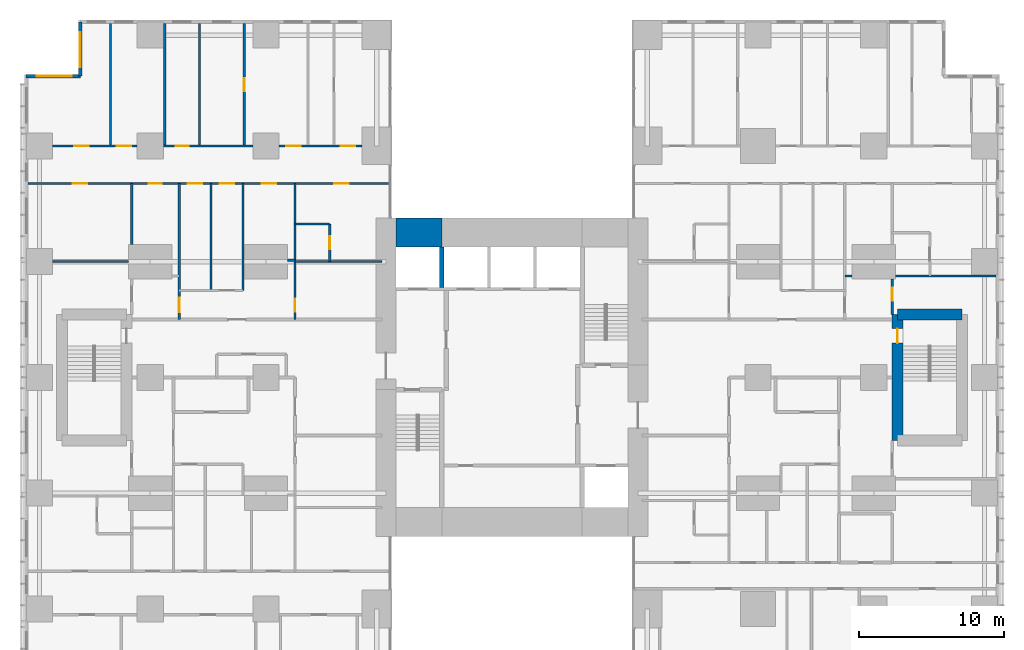
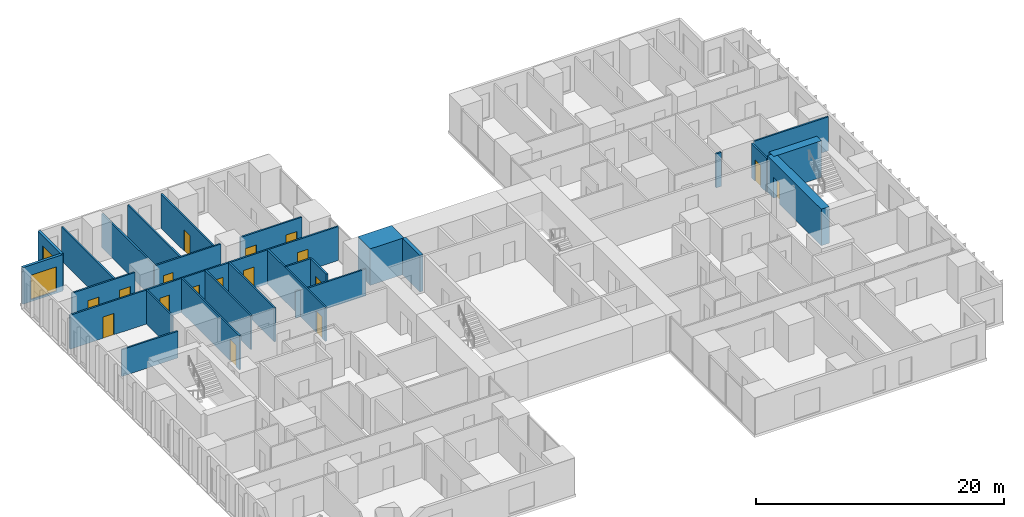
# One storey, part 16 of 20: 27 walls, 17 doors, 2 windows, 19 openings.
"""IFC4 building model written with IfcOpenShell, lengths in metres."""

from ifc_helpers import new_model, si_unit, direction, frame, frame_2d, origin, place, context, subcontext, project, spatial, rectangle, extrude, material, layer, layer_set, type_object, element, fill, save


model = new_model("IFC4")

# Units and contexts
model_context = context("Model", 3, precision=1e-05, world=origin(), true_north=direction((0.0, 1.0)))
body_context = subcontext(model_context, "Body", "Model", "MODEL_VIEW")
ifc_project = project(units=[si_unit("LENGTHUNIT", "METRE"), si_unit("AREAUNIT", "SQUARE_METRE"), si_unit("VOLUMEUNIT", "CUBIC_METRE"), si_unit("PLANEANGLEUNIT", "RADIAN"), si_unit("MASSUNIT", "GRAM", prefix="KILO")], contexts=[model_context])

# Site, building, storey
site_placement = place(None, origin())
site = spatial("IfcSite", under=ifc_project, at=site_placement, CompositionType="ELEMENT")
building_placement = place(site_placement, origin())
building = spatial("IfcBuilding", under=site, at=building_placement, Name="Cleftline Residences", CompositionType="ELEMENT")
storey_placement = place(building_placement, frame((0.0, 0.0, 189.39990234375)))
storey = spatial("IfcBuildingStorey", under=building, at=storey_placement, Name="L49", CompositionType="ELEMENT", Elevation=189.39990234375)

# Walls
ifc_material_1 = material(Name="Concrete B70", Category="concrete")
ifc_layer_1 = layer(ifc_material_1, 2.0)
ifc_layer_set_1 = layer_set([ifc_layer_1], Name="CORE WALL 2000")
wall_type_1 = type_object("IfcWallType", Name="CORE WALL 2000", PredefinedType="SHEAR", material=ifc_layer_set_1)
wall_1_placement = place(storey_placement, frame((25.0, 34.0, 0.0), z_axis=(0.0, 0.0, 1.0), x_axis=(1.0, 0.0, 0.0)))
element("IfcWall", 1, at=wall_1_placement, inside=storey, type_object=wall_type_1, Name="Core wall N1", PredefinedType="SHEAR", context=body_context, shape_type="SweptSolid", body=[
    extrude(rectangle(XDim=3.14990234375, YDim=2.0, at=frame_2d((1.574951171875, 0.0))), origin(), (0.0, 0.0, 1.0), 3.60009765625),
])
ifc_material_2 = material(Name="Concrete B70", Category="concrete")
ifc_layer_2 = layer(ifc_material_2, 0.300048828125)
ifc_layer_set_2 = layer_set([ifc_layer_2], Name="CORE WALL 300")
wall_type_2 = type_object("IfcWallType", Name="CORE WALL 300", PredefinedType="SHEAR", material=ifc_layer_set_2)
wall_2_placement = place(storey_placement, frame((28.14990234375, 30.199951171875, 0.0), z_axis=(0.0, 0.0, 1.0), x_axis=(0.0, 1.0, 0.0)))
element("IfcWall", 2, at=wall_2_placement, inside=storey, type_object=wall_type_2, Name="Lift shaft wall", PredefinedType="SHEAR", context=body_context, shape_type="SweptSolid", body=[
    extrude(rectangle(XDim=2.800048828125, YDim=0.300048828125, at=frame_2d((1.39990234375, 0.0))), origin(), (0.0, 0.0, 1.0), 3.60009765625),
])

# Wall, opening, window
ifc_material_3 = material(Name="Rendered reinforced concrete blockwork", Category="masonry")
ifc_layer_3 = layer(ifc_material_3, 0.25)
ifc_layer_set_3 = layer_set([ifc_layer_3], Name="EXTERNAL WALL 250")
wall_type_3 = type_object("IfcWallType", Name="EXTERNAL WALL 250", PredefinedType="SOLIDWALL", material=ifc_layer_set_3)
wall_3_placement = place(storey_placement, frame((3.175048828125, 48.574951171875, 0.0), z_axis=(0.0, 0.0, 1.0), x_axis=(0.0, -1.0, 0.0)))
wall_3 = element("IfcWall", 3, at=wall_3_placement, inside=storey, type_object=wall_type_3, Name="External wall", PredefinedType="SOLIDWALL", context=body_context, shape_type="SweptSolid", body=[
    extrude(rectangle(XDim=3.75, YDim=0.25, at=frame_2d((1.875, 0.0))), origin(), (0.0, 0.0, 1.0), 3.60009765625),
])
opening_1_placement = place(wall_3_placement, frame((0.737548828125, 0.0, 0.199951171875)))
opening_1 = element("IfcOpeningElement", 4, at=opening_1_placement, cuts=wall_3, Name="Opening W9", PredefinedType="OPENING", context=body_context, shape_type="SweptSolid", body=[
    extrude(rectangle(XDim=2.39990234375, YDim=2.39990234375, at=frame_2d((1.199951171875, 1.199951171875))), frame((0.0, 0.135009765625, 0.0), z_axis=(0.0, -1.0, 0.0), x_axis=(1.0, 0.0, 0.0)), (0.0, 0.0, 1.0), 0.27001953125),
])
ifc_material_4 = material(Name="Aluminium frame, clear double glazing", Category="aluminium")
window_type = type_object("IfcWindowType", Name="WINDOW 2400X2400", PartitioningType="DOUBLE_PANEL_VERTICAL", PredefinedType="WINDOW", material=ifc_material_4)
window_1_placement = place(opening_1_placement, origin())
window_1 = element("IfcWindow", 5, at=window_1_placement, inside=storey, type_object=window_type, Name="Window", OverallHeight=2.39990234375, OverallWidth=2.39990234375, PartitioningType="SINGLE_PANEL", PredefinedType="WINDOW", context=body_context, shape_type="SweptSolid", body=[
    extrude(rectangle(XDim=2.39990234375, YDim=2.39990234375, at=frame_2d((1.199951171875, 1.199951171875))), frame((0.0, 0.030029296875, 0.0), z_axis=(0.0, -1.0, 0.0), x_axis=(1.0, 0.0, 0.0)), (0.0, 0.0, 1.0), 0.06005859375),
])
fill(opening_1, window_1)

wall_4_placement = place(storey_placement, frame((3.175048828125, 44.824951171875, 0.0), z_axis=(0.0, 0.0, 1.0), x_axis=(-1.0, 0.0, 0.0)))
wall_4 = element("IfcWall", 6, at=wall_4_placement, inside=storey, type_object=wall_type_3, Name="External wall", PredefinedType="SOLIDWALL", context=body_context, shape_type="SweptSolid", body=[
    extrude(rectangle(XDim=3.75, YDim=0.25, at=frame_2d((1.875, 0.0))), origin(), (0.0, 0.0, 1.0), 3.60009765625),
])
opening_2_placement = place(wall_4_placement, frame((0.612548828125, 0.0, 0.199951171875)))
opening_2 = element("IfcOpeningElement", 7, at=opening_2_placement, cuts=wall_4, Name="Opening W9", PredefinedType="OPENING", context=body_context, shape_type="SweptSolid", body=[
    extrude(rectangle(XDim=2.39990234375, YDim=2.39990234375, at=frame_2d((1.199951171875, 1.199951171875))), frame((0.0, 0.135009765625, 0.0), z_axis=(0.0, -1.0, 0.0), x_axis=(1.0, 0.0, 0.0)), (0.0, 0.0, 1.0), 0.27001953125),
])
window_2_placement = place(opening_2_placement, origin())
window_2 = element("IfcWindow", 8, at=window_2_placement, inside=storey, type_object=window_type, Name="Window", OverallHeight=2.39990234375, OverallWidth=2.39990234375, PartitioningType="SINGLE_PANEL", PredefinedType="WINDOW", context=body_context, shape_type="SweptSolid", body=[
    extrude(rectangle(XDim=2.39990234375, YDim=2.39990234375, at=frame_2d((1.199951171875, 1.199951171875))), frame((0.0, 0.030029296875, 0.0), z_axis=(0.0, -1.0, 0.0), x_axis=(1.0, 0.0, 0.0)), (0.0, 0.0, 1.0), 0.06005859375),
])
fill(opening_2, window_2)

# Walls
ifc_material_5 = material(Name="Gypsum board on steel studs", Category="steel")
ifc_layer_4 = layer(ifc_material_5, 0.14990234375)
ifc_layer_set_4 = layer_set([ifc_layer_4], Name="PARTITION 150")
wall_type_4 = type_object("IfcWallType", Name="PARTITION 150", PredefinedType="PARTITIONING", material=ifc_layer_set_4)
wall_5_placement = place(storey_placement, frame((56.0, 31.0, 0.0), z_axis=(0.0, 0.0, 1.0), x_axis=(1.0, 0.0, 0.0)))
element("IfcWall", 9, at=wall_5_placement, inside=storey, type_object=wall_type_4, Name="Partition", PredefinedType="PARTITIONING", context=body_context, shape_type="SweptSolid", body=[
    extrude(rectangle(XDim=0.5, YDim=0.14990234375, at=frame_2d((0.25, 0.0))), origin(), (0.0, 0.0, 1.0), 3.35009765625),
])
wall_6_placement = place(storey_placement, frame((59.5, 31.0, 0.0), z_axis=(0.0, 0.0, 1.0), x_axis=(1.0, 0.0, 0.0)))
element("IfcWall", 10, at=wall_6_placement, inside=storey, type_object=wall_type_4, Name="Partition", PredefinedType="PARTITIONING", context=body_context, shape_type="SweptSolid", body=[
    extrude(rectangle(XDim=6.949951171875, YDim=0.14990234375, at=frame_2d((3.47509765625, 0.0))), origin(), (0.0, 0.0, 1.0), 3.35009765625),
])
wall_7_placement = place(storey_placement, frame((1.25, 32.0, 0.0), z_axis=(0.0, 0.0, 1.0), x_axis=(1.0, 0.0, 0.0)))
element("IfcWall", 11, at=wall_7_placement, inside=storey, type_object=wall_type_4, Name="Partition", PredefinedType="PARTITIONING", context=body_context, shape_type="SweptSolid", body=[
    extrude(rectangle(XDim=5.25, YDim=0.14990234375, at=frame_2d((2.625, 0.0))), origin(), (0.0, 0.0, 1.0), 2.634033203125),
])
wall_8_placement = place(storey_placement, frame((18.0, 32.0, 0.0), z_axis=(0.0, 0.0, 1.0), x_axis=(1.0, 0.0, 0.0)))
element("IfcWall", 12, at=wall_8_placement, inside=storey, type_object=wall_type_4, Name="Partition", PredefinedType="PARTITIONING", context=body_context, shape_type="SweptSolid", body=[
    extrude(rectangle(XDim=6.0, YDim=0.14990234375, at=frame_2d((3.0, 0.0))), origin(), (0.0, 0.0, 1.0), 2.634033203125),
])
wall_9_placement = place(storey_placement, frame((17.5, 32.10009765625, 0.0), z_axis=(0.0, 0.0, 1.0), x_axis=(1.0, 0.0, 0.0)))
element("IfcWall", 13, at=wall_9_placement, inside=storey, type_object=wall_type_4, Name="Partition", PredefinedType="PARTITIONING", context=body_context, shape_type="SweptSolid", body=[
    extrude(rectangle(XDim=0.5, YDim=0.14990234375, at=frame_2d((0.25, 0.0))), origin(), (0.0, 0.0, 1.0), 2.634033203125),
])
wall_10_placement = place(storey_placement, frame((18.0, 34.60009765625, 0.0), z_axis=(0.0, 0.0, 1.0), x_axis=(1.0, 0.0, 0.0)))
element("IfcWall", 14, at=wall_10_placement, inside=storey, type_object=wall_type_4, Name="Partition", PredefinedType="PARTITIONING", context=body_context, shape_type="SweptSolid", body=[
    extrude(rectangle(XDim=2.39990234375, YDim=0.14990234375, at=frame_2d((1.199951171875, 0.0))), origin(), (0.0, 0.0, 1.0), 3.35009765625),
])

# Wall, openings, doors
wall_11_placement = place(storey_placement, frame((-0.449951171875, 37.39990234375, 0.0), z_axis=(0.0, 0.0, 1.0), x_axis=(1.0, 0.0, 0.0)))
wall_11 = element("IfcWall", 15, at=wall_11_placement, inside=storey, type_object=wall_type_4, Name="Partition", PredefinedType="PARTITIONING", context=body_context, shape_type="SweptSolid", body=[
    extrude(rectangle(XDim=25.010986328125, YDim=0.14990234375, at=frame_2d((12.50537109375, 0.0))), origin(), (0.0, 0.0, 1.0), 3.35009765625),
])
opening_3_placement = place(wall_11_placement, frame((13.25, 0.0, 0.0)))
opening_3 = element("IfcOpeningElement", 16, at=opening_3_placement, cuts=wall_11, Name="Opening D2", PredefinedType="OPENING", context=body_context, shape_type="SweptSolid", body=[
    extrude(rectangle(XDim=1.0, YDim=2.10009765625, at=frame_2d((0.5, 1.050048828125))), frame((0.0, 0.0849609375, 0.0), z_axis=(0.0, -1.0, 0.0), x_axis=(1.0, 0.0, 0.0)), (0.0, 0.0, 1.0), 0.169921875),
])
opening_4_placement = place(wall_11_placement, frame((3.08740234375, 0.0, 0.0)))
opening_4 = element("IfcOpeningElement", 17, at=opening_4_placement, cuts=wall_11, Name="Opening D2", PredefinedType="OPENING", context=body_context, shape_type="SweptSolid", body=[
    extrude(rectangle(XDim=1.0, YDim=2.10009765625, at=frame_2d((0.5, 1.050048828125))), frame((0.0, 0.0849609375, 0.0), z_axis=(0.0, -1.0, 0.0), x_axis=(1.0, 0.0, 0.0)), (0.0, 0.0, 1.0), 0.169921875),
])
opening_5_placement = place(wall_11_placement, frame((8.362548828125, 0.0, 0.0)))
opening_5 = element("IfcOpeningElement", 18, at=opening_5_placement, cuts=wall_11, Name="Opening D1", PredefinedType="OPENING", context=body_context, shape_type="SweptSolid", body=[
    extrude(rectangle(XDim=0.89990234375, YDim=2.10009765625, at=frame_2d((0.449951171875, 1.050048828125))), frame((0.0, 0.0849609375, 0.0), z_axis=(0.0, -1.0, 0.0), x_axis=(1.0, 0.0, 0.0)), (0.0, 0.0, 1.0), 0.169921875),
])
opening_6_placement = place(wall_11_placement, frame((11.050048828125, 0.0, 0.0)))
opening_6 = element("IfcOpeningElement", 19, at=opening_6_placement, cuts=wall_11, Name="Opening D2", PredefinedType="OPENING", context=body_context, shape_type="SweptSolid", body=[
    extrude(rectangle(XDim=1.0, YDim=2.10009765625, at=frame_2d((0.5, 1.050048828125))), frame((0.0, 0.0849609375, 0.0), z_axis=(0.0, -1.0, 0.0), x_axis=(1.0, 0.0, 0.0)), (0.0, 0.0, 1.0), 0.169921875),
])
opening_7_placement = place(wall_11_placement, frame((16.14990234375, 0.0, 0.0)))
opening_7 = element("IfcOpeningElement", 20, at=opening_7_placement, cuts=wall_11, Name="Opening D2", PredefinedType="OPENING", context=body_context, shape_type="SweptSolid", body=[
    extrude(rectangle(XDim=1.0, YDim=2.10009765625, at=frame_2d((0.5, 1.050048828125))), frame((0.0, 0.0849609375, 0.0), z_axis=(0.0, -1.0, 0.0), x_axis=(1.0, 0.0, 0.0)), (0.0, 0.0, 1.0), 0.169921875),
])
opening_8_placement = place(wall_11_placement, frame((21.175048828125, 0.0, 0.0)))
opening_8 = element("IfcOpeningElement", 21, at=opening_8_placement, cuts=wall_11, Name="Opening D2", PredefinedType="OPENING", context=body_context, shape_type="SweptSolid", body=[
    extrude(rectangle(XDim=1.0, YDim=2.10009765625, at=frame_2d((0.5, 1.050048828125))), frame((0.0, 0.0849609375, 0.0), z_axis=(0.0, -1.0, 0.0), x_axis=(1.0, 0.0, 0.0)), (0.0, 0.0, 1.0), 0.169921875),
])
ifc_material_6 = material(Name="Timber veneer on solid core", Category="wood")
door_type_1 = type_object("IfcDoorType", Name="DOOR 1000X2100", OperationType="SINGLE_SWING_LEFT", PredefinedType="DOOR", material=ifc_material_6)
door_1_placement = place(opening_3_placement, origin())
door_1 = element("IfcDoor", 22, at=door_1_placement, inside=storey, type_object=door_type_1, Name="Door to residence hall", OperationType="SINGLE_SWING_LEFT", OverallHeight=2.10009765625, OverallWidth=1.0, PredefinedType="DOOR", context=body_context, shape_type="SweptSolid", body=[
    extrude(rectangle(XDim=1.0, YDim=2.10009765625, at=frame_2d((0.5, 1.050048828125))), frame((0.0, 0.02490234375, 0.0), z_axis=(0.0, -1.0, 0.0), x_axis=(1.0, 0.0, 0.0)), (0.0, 0.0, 1.0), 0.050048828125),
])
fill(opening_3, door_1)
door_2_placement = place(opening_4_placement, origin())
door_2 = element("IfcDoor", 23, at=door_2_placement, inside=storey, type_object=door_type_1, Name="Door to winter garden", OperationType="SINGLE_SWING_RIGHT", OverallHeight=2.10009765625, OverallWidth=1.0, PredefinedType="DOOR", context=body_context, shape_type="SweptSolid", body=[
    extrude(rectangle(XDim=1.0, YDim=2.10009765625, at=frame_2d((0.5, 1.050048828125))), frame((0.0, 0.02490234375, 0.0), z_axis=(0.0, -1.0, 0.0), x_axis=(1.0, 0.0, 0.0)), (0.0, 0.0, 1.0), 0.050048828125),
])
fill(opening_4, door_2)
door_3_placement = place(opening_6_placement, origin())
door_3 = element("IfcDoor", 24, at=door_3_placement, inside=storey, type_object=door_type_1, Name="Door to family room", OperationType="SINGLE_SWING_RIGHT", OverallHeight=2.10009765625, OverallWidth=1.0, PredefinedType="DOOR", context=body_context, shape_type="SweptSolid", body=[
    extrude(rectangle(XDim=1.0, YDim=2.10009765625, at=frame_2d((0.5, 1.050048828125))), frame((0.0, 0.02490234375, 0.0), z_axis=(0.0, -1.0, 0.0), x_axis=(1.0, 0.0, 0.0)), (0.0, 0.0, 1.0), 0.050048828125),
])
fill(opening_6, door_3)
door_4_placement = place(opening_7_placement, origin())
door_4 = element("IfcDoor", 25, at=door_4_placement, inside=storey, type_object=door_type_1, Name="Door to morning kitchen", OperationType="SINGLE_SWING_LEFT", OverallHeight=2.10009765625, OverallWidth=1.0, PredefinedType="DOOR", context=body_context, shape_type="SweptSolid", body=[
    extrude(rectangle(XDim=1.0, YDim=2.10009765625, at=frame_2d((0.5, 1.050048828125))), frame((0.0, 0.02490234375, 0.0), z_axis=(0.0, -1.0, 0.0), x_axis=(1.0, 0.0, 0.0)), (0.0, 0.0, 1.0), 0.050048828125),
])
fill(opening_7, door_4)
door_5_placement = place(opening_8_placement, origin())
door_5 = element("IfcDoor", 26, at=door_5_placement, inside=storey, type_object=door_type_1, Name="Door to bedroom 4", OperationType="SINGLE_SWING_LEFT", OverallHeight=2.10009765625, OverallWidth=1.0, PredefinedType="DOOR", context=body_context, shape_type="SweptSolid", body=[
    extrude(rectangle(XDim=1.0, YDim=2.10009765625, at=frame_2d((0.5, 1.050048828125))), frame((0.0, 0.02490234375, 0.0), z_axis=(0.0, -1.0, 0.0), x_axis=(1.0, 0.0, 0.0)), (0.0, 0.0, 1.0), 0.050048828125),
])
fill(opening_8, door_5)
ifc_material_7 = material(Name="Timber veneer on solid core", Category="wood")
door_type_2 = type_object("IfcDoorType", Name="DOOR 900X2100", OperationType="SINGLE_SWING_LEFT", PredefinedType="DOOR", material=ifc_material_7)
door_6_placement = place(opening_5_placement, origin())
door_6 = element("IfcDoor", 27, at=door_6_placement, inside=storey, type_object=door_type_2, Name="Door to master bathroom", OperationType="SINGLE_SWING_RIGHT", OverallHeight=2.10009765625, OverallWidth=0.89990234375, PredefinedType="DOOR", context=body_context, shape_type="SweptSolid", body=[
    extrude(rectangle(XDim=0.89990234375, YDim=2.10009765625, at=frame_2d((0.449951171875, 1.050048828125))), frame((0.0, 0.02490234375, 0.0), z_axis=(0.0, -1.0, 0.0), x_axis=(1.0, 0.0, 0.0)), (0.0, 0.0, 1.0), 0.050048828125),
])
fill(opening_5, door_6)

wall_12_placement = place(storey_placement, frame((1.25, 40.0, 0.0), z_axis=(0.0, 0.0, 1.0), x_axis=(1.0, 0.0, 0.0)))
wall_12 = element("IfcWall", 28, at=wall_12_placement, inside=storey, type_object=wall_type_4, Name="Partition", PredefinedType="PARTITIONING", context=body_context, shape_type="SweptSolid", body=[
    extrude(rectangle(XDim=5.85009765625, YDim=0.14990234375, at=frame_2d((2.925048828125, 0.0))), origin(), (0.0, 0.0, 1.0), 3.35009765625),
])
opening_9_placement = place(wall_12_placement, frame((1.5, 0.0, 0.0)))
opening_9 = element("IfcOpeningElement", 29, at=opening_9_placement, cuts=wall_12, Name="Opening D2", PredefinedType="OPENING", context=body_context, shape_type="SweptSolid", body=[
    extrude(rectangle(XDim=1.0, YDim=2.10009765625, at=frame_2d((0.5, 1.050048828125))), frame((0.0, 0.0849609375, 0.0), z_axis=(0.0, -1.0, 0.0), x_axis=(1.0, 0.0, 0.0)), (0.0, 0.0, 1.0), 0.169921875),
])
opening_10_placement = place(wall_12_placement, frame((4.425048828125, 0.0, 0.0)))
opening_10 = element("IfcOpeningElement", 30, at=opening_10_placement, cuts=wall_12, Name="Opening D2", PredefinedType="OPENING", context=body_context, shape_type="SweptSolid", body=[
    extrude(rectangle(XDim=1.0, YDim=2.10009765625, at=frame_2d((0.5, 1.050048828125))), frame((0.0, 0.0849609375, 0.0), z_axis=(0.0, -1.0, 0.0), x_axis=(1.0, 0.0, 0.0)), (0.0, 0.0, 1.0), 0.169921875),
])
door_7_placement = place(opening_9_placement, origin())
door_7 = element("IfcDoor", 31, at=door_7_placement, inside=storey, type_object=door_type_1, Name="Door to master bedroom", OperationType="SINGLE_SWING_RIGHT", OverallHeight=2.10009765625, OverallWidth=1.0, PredefinedType="DOOR", context=body_context, shape_type="SweptSolid", body=[
    extrude(rectangle(XDim=1.0, YDim=2.10009765625, at=frame_2d((0.5, 1.050048828125))), frame((0.0, 0.02490234375, 0.0), z_axis=(0.0, -1.0, 0.0), x_axis=(1.0, 0.0, 0.0)), (0.0, 0.0, 1.0), 0.050048828125),
])
fill(opening_9, door_7)
door_8_placement = place(opening_10_placement, origin())
door_8 = element("IfcDoor", 32, at=door_8_placement, inside=storey, type_object=door_type_1, Name="Door to master sitting room", OperationType="SINGLE_SWING_LEFT", OverallHeight=2.10009765625, OverallWidth=1.0, PredefinedType="DOOR", context=body_context, shape_type="SweptSolid", body=[
    extrude(rectangle(XDim=1.0, YDim=2.10009765625, at=frame_2d((0.5, 1.050048828125))), frame((0.0, 0.02490234375, 0.0), z_axis=(0.0, -1.0, 0.0), x_axis=(1.0, 0.0, 0.0)), (0.0, 0.0, 1.0), 0.050048828125),
])
fill(opening_10, door_8)

# Wall, opening, door
wall_13_placement = place(storey_placement, frame((8.89990234375, 40.0, 0.0), z_axis=(0.0, 0.0, 1.0), x_axis=(1.0, 0.0, 0.0)))
wall_13 = element("IfcWall", 33, at=wall_13_placement, inside=storey, type_object=wall_type_4, Name="Partition", PredefinedType="PARTITIONING", context=body_context, shape_type="SweptSolid", body=[
    extrude(rectangle(XDim=6.2001953125, YDim=0.14990234375, at=frame_2d((3.10009765625, 0.0))), origin(), (0.0, 0.0, 1.0), 3.35009765625),
])
opening_11_placement = place(wall_13_placement, frame((0.85009765625, 0.0, 0.0)))
opening_11 = element("IfcOpeningElement", 34, at=opening_11_placement, cuts=wall_13, Name="Opening D1", PredefinedType="OPENING", context=body_context, shape_type="SweptSolid", body=[
    extrude(rectangle(XDim=0.89990234375, YDim=2.10009765625, at=frame_2d((0.449951171875, 1.050048828125))), frame((0.0, 0.0849609375, 0.0), z_axis=(0.0, -1.0, 0.0), x_axis=(1.0, 0.0, 0.0)), (0.0, 0.0, 1.0), 0.169921875),
])
door_9_placement = place(opening_11_placement, origin())
door_9 = element("IfcDoor", 35, at=door_9_placement, inside=storey, type_object=door_type_2, Name="Door to master dressing room", OperationType="SINGLE_SWING_RIGHT", OverallHeight=2.10009765625, OverallWidth=0.89990234375, PredefinedType="DOOR", context=body_context, shape_type="SweptSolid", body=[
    extrude(rectangle(XDim=0.89990234375, YDim=2.10009765625, at=frame_2d((0.449951171875, 1.050048828125))), frame((0.0, 0.02490234375, 0.0), z_axis=(0.0, -1.0, 0.0), x_axis=(1.0, 0.0, 0.0)), (0.0, 0.0, 1.0), 0.050048828125),
])
fill(opening_11, door_9)

# Wall, openings, doors
wall_14_placement = place(storey_placement, frame((16.89990234375, 40.0, 0.0), z_axis=(0.0, 0.0, 1.0), x_axis=(1.0, 0.0, 0.0)))
wall_14 = element("IfcWall", 36, at=wall_14_placement, inside=storey, type_object=wall_type_4, Name="Partition", PredefinedType="PARTITIONING", context=body_context, shape_type="SweptSolid", body=[
    extrude(rectangle(XDim=5.75, YDim=0.14990234375, at=frame_2d((2.875, 0.0))), origin(), (0.0, 0.0, 1.0), 3.35009765625),
])
opening_12_placement = place(wall_14_placement, frame((0.5, 0.0, 0.0)))
opening_12 = element("IfcOpeningElement", 37, at=opening_12_placement, cuts=wall_14, Name="Opening D2", PredefinedType="OPENING", context=body_context, shape_type="SweptSolid", body=[
    extrude(rectangle(XDim=1.0, YDim=2.10009765625, at=frame_2d((0.5, 1.050048828125))), frame((0.0, 0.0849609375, 0.0), z_axis=(0.0, -1.0, 0.0), x_axis=(1.0, 0.0, 0.0)), (0.0, 0.0, 1.0), 0.169921875),
])
opening_13_placement = place(wall_14_placement, frame((4.27490234375, 0.0, 0.0)))
opening_13 = element("IfcOpeningElement", 38, at=opening_13_placement, cuts=wall_14, Name="Opening D2", PredefinedType="OPENING", context=body_context, shape_type="SweptSolid", body=[
    extrude(rectangle(XDim=1.0, YDim=2.10009765625, at=frame_2d((0.5, 1.050048828125))), frame((0.0, 0.0849609375, 0.0), z_axis=(0.0, -1.0, 0.0), x_axis=(1.0, 0.0, 0.0)), (0.0, 0.0, 1.0), 0.169921875),
])
door_10_placement = place(opening_12_placement, origin())
door_10 = element("IfcDoor", 39, at=door_10_placement, inside=storey, type_object=door_type_1, Name="Door to bedroom 2", OperationType="SINGLE_SWING_RIGHT", OverallHeight=2.10009765625, OverallWidth=1.0, PredefinedType="DOOR", context=body_context, shape_type="SweptSolid", body=[
    extrude(rectangle(XDim=1.0, YDim=2.10009765625, at=frame_2d((0.5, 1.050048828125))), frame((0.0, 0.02490234375, 0.0), z_axis=(0.0, -1.0, 0.0), x_axis=(1.0, 0.0, 0.0)), (0.0, 0.0, 1.0), 0.050048828125),
])
fill(opening_12, door_10)
door_11_placement = place(opening_13_placement, origin())
door_11 = element("IfcDoor", 40, at=door_11_placement, inside=storey, type_object=door_type_1, Name="Door to bedroom 3", OperationType="SINGLE_SWING_LEFT", OverallHeight=2.10009765625, OverallWidth=1.0, PredefinedType="DOOR", context=body_context, shape_type="SweptSolid", body=[
    extrude(rectangle(XDim=1.0, YDim=2.10009765625, at=frame_2d((0.5, 1.050048828125))), frame((0.0, 0.02490234375, 0.0), z_axis=(0.0, -1.0, 0.0), x_axis=(1.0, 0.0, 0.0)), (0.0, 0.0, 1.0), 0.050048828125),
])
fill(opening_13, door_11)

# Walls
wall_15_placement = place(storey_placement, frame((5.25, 40.0, 0.0), z_axis=(0.0, 0.0, 1.0), x_axis=(0.0, 1.0, 0.0)))
element("IfcWall", 41, at=wall_15_placement, inside=storey, type_object=wall_type_4, Name="Partition", PredefinedType="PARTITIONING", context=body_context, shape_type="SweptSolid", body=[
    extrude(rectangle(XDim=8.449951171875, YDim=0.14990234375, at=frame_2d((4.22509765625, 0.0))), origin(), (0.0, 0.0, 1.0), 3.35009765625),
])
wall_16_placement = place(storey_placement, frame((6.72509765625, 33.199951171875, 0.0), z_axis=(0.0, 0.0, 1.0), x_axis=(0.0, 1.0, 0.0)))
element("IfcWall", 42, at=wall_16_placement, inside=storey, type_object=wall_type_4, Name="Partition", PredefinedType="PARTITIONING", context=body_context, shape_type="SweptSolid", body=[
    extrude(rectangle(XDim=4.199951171875, YDim=0.14990234375, at=frame_2d((2.10009765625, 0.0))), origin(), (0.0, 0.0, 1.0), 3.35009765625),
])
wall_17_placement = place(storey_placement, frame((9.0, 40.0, 0.0), z_axis=(0.0, 0.0, 1.0), x_axis=(0.0, 1.0, 0.0)))
element("IfcWall", 43, at=wall_17_placement, inside=storey, type_object=wall_type_4, Name="Partition", PredefinedType="PARTITIONING", context=body_context, shape_type="SweptSolid", body=[
    extrude(rectangle(XDim=8.449951171875, YDim=0.14990234375, at=frame_2d((4.22509765625, 0.0))), origin(), (0.0, 0.0, 1.0), 3.35009765625),
])

# Wall, opening, door
wall_18_placement = place(storey_placement, frame((10.0, 28.0, 0.0), z_axis=(0.0, 0.0, 1.0), x_axis=(0.0, 1.0, 0.0)))
wall_18 = element("IfcWall", 44, at=wall_18_placement, inside=storey, type_object=wall_type_4, Name="Partition", PredefinedType="PARTITIONING", context=body_context, shape_type="SweptSolid", body=[
    extrude(rectangle(XDim=9.39990234375, YDim=0.14990234375, at=frame_2d((4.699951171875, 0.0))), origin(), (0.0, 0.0, 1.0), 3.35009765625),
])
opening_14_placement = place(wall_18_placement, frame((0.5, 0.0, 0.0)))
opening_14 = element("IfcOpeningElement", 45, at=opening_14_placement, cuts=wall_18, Name="Opening D2F30", PredefinedType="OPENING", context=body_context, shape_type="SweptSolid", body=[
    extrude(rectangle(XDim=1.0, YDim=2.10009765625, at=frame_2d((0.5, 1.050048828125))), frame((0.0, 0.0849609375, 0.0), z_axis=(0.0, -1.0, 0.0), x_axis=(1.0, 0.0, 0.0)), (0.0, 0.0, 1.0), 0.169921875),
])
ifc_material_8 = material(Name="Timber veneer on solid core", Category="wood")
door_type_3 = type_object("IfcDoorType", Name="DOOR 1000X2100 EI 30", OperationType="SINGLE_SWING_LEFT", PredefinedType="DOOR", material=ifc_material_8)
door_12_placement = place(opening_14_placement, origin())
door_12 = element("IfcDoor", 46, at=door_12_placement, inside=storey, type_object=door_type_3, Name="Door to residence lobby (service)", OperationType="SINGLE_SWING_RIGHT", OverallHeight=2.10009765625, OverallWidth=1.0, PredefinedType="DOOR", context=body_context, shape_type="SweptSolid", body=[
    extrude(rectangle(XDim=1.0, YDim=2.10009765625, at=frame_2d((0.5, 1.050048828125))), frame((0.0, 0.02490234375, 0.0), z_axis=(0.0, -1.0, 0.0), x_axis=(1.0, 0.0, 0.0)), (0.0, 0.0, 1.0), 0.050048828125),
])
fill(opening_14, door_12)

# Walls
wall_19_placement = place(storey_placement, frame((11.39990234375, 40.0, 0.0), z_axis=(0.0, 0.0, 1.0), x_axis=(0.0, 1.0, 0.0)))
element("IfcWall", 47, at=wall_19_placement, inside=storey, type_object=wall_type_4, Name="Partition", PredefinedType="PARTITIONING", context=body_context, shape_type="SweptSolid", body=[
    extrude(rectangle(XDim=8.449951171875, YDim=0.14990234375, at=frame_2d((4.22509765625, 0.0))), origin(), (0.0, 0.0, 1.0), 3.35009765625),
])
for number, where, z_axis, x_axis, name in (
    (48, (12.199951171875, 30.0, 0.0), (0.0, 0.0, 1.0), (0.0, 1.0, 0.0), "Partition"),
    (49, (14.39990234375, 30.0, 0.0), (0.0, 0.0, 1.0), (0.0, 1.0, 0.0), "Partition"),
):
    element("IfcWall", number, at=place(storey_placement, frame(where, z_axis=z_axis, x_axis=x_axis)), inside=storey, type_object=wall_type_4, Name=name, PredefinedType="PARTITIONING", context=body_context, shape_type="SweptSolid", body=[
        extrude(rectangle(XDim=7.39990234375, YDim=0.14990234375, at=frame_2d((3.699951171875, 0.0))), origin(), (0.0, 0.0, 1.0), 3.35009765625),
    ])

# Wall, opening, door
wall_20_placement = place(storey_placement, frame((14.5, 40.0, 0.0), z_axis=(0.0, 0.0, 1.0), x_axis=(0.0, 1.0, 0.0)))
wall_20 = element("IfcWall", 50, at=wall_20_placement, inside=storey, type_object=wall_type_4, Name="Partition", PredefinedType="PARTITIONING", context=body_context, shape_type="SweptSolid", body=[
    extrude(rectangle(XDim=8.449951171875, YDim=0.14990234375, at=frame_2d((4.22509765625, 0.0))), origin(), (0.0, 0.0, 1.0), 3.35009765625),
])
opening_15_placement = place(wall_20_placement, frame((3.77490234375, 0.0, 0.0)))
opening_15 = element("IfcOpeningElement", 51, at=opening_15_placement, cuts=wall_20, Name="Opening D1", PredefinedType="OPENING", context=body_context, shape_type="SweptSolid", body=[
    extrude(rectangle(XDim=0.89990234375, YDim=2.10009765625, at=frame_2d((0.449951171875, 1.050048828125))), frame((0.0, 0.0849609375, 0.0), z_axis=(0.0, -1.0, 0.0), x_axis=(1.0, 0.0, 0.0)), (0.0, 0.0, 1.0), 0.169921875),
])
door_13_placement = place(opening_15_placement, origin())
door_13 = element("IfcDoor", 52, at=door_13_placement, inside=storey, type_object=door_type_2, Name="Door to en-suite bathroom 2", OperationType="SINGLE_SWING_LEFT", OverallHeight=2.10009765625, OverallWidth=0.89990234375, PredefinedType="DOOR", context=body_context, shape_type="SweptSolid", body=[
    extrude(rectangle(XDim=0.89990234375, YDim=2.10009765625, at=frame_2d((0.449951171875, 1.050048828125))), frame((0.0, 0.02490234375, 0.0), z_axis=(0.0, -1.0, 0.0), x_axis=(1.0, 0.0, 0.0)), (0.0, 0.0, 1.0), 0.050048828125),
])
fill(opening_15, door_13)

wall_21_placement = place(storey_placement, frame((18.0, 28.0, 0.0), z_axis=(0.0, 0.0, 1.0), x_axis=(0.0, 1.0, 0.0)))
wall_21 = element("IfcWall", 53, at=wall_21_placement, inside=storey, type_object=wall_type_4, Name="Partition", PredefinedType="PARTITIONING", context=body_context, shape_type="SweptSolid", body=[
    extrude(rectangle(XDim=9.39990234375, YDim=0.14990234375, at=frame_2d((4.699951171875, 0.0))), origin(), (0.0, 0.0, 1.0), 3.35009765625),
])
opening_16_placement = place(wall_21_placement, frame((0.550048828125, 0.0, 0.0)))
opening_16 = element("IfcOpeningElement", 54, at=opening_16_placement, cuts=wall_21, Name="Opening D1", PredefinedType="OPENING", context=body_context, shape_type="SweptSolid", body=[
    extrude(rectangle(XDim=0.89990234375, YDim=2.10009765625, at=frame_2d((0.449951171875, 1.050048828125))), frame((0.0, 0.0849609375, 0.0), z_axis=(0.0, -1.0, 0.0), x_axis=(1.0, 0.0, 0.0)), (0.0, 0.0, 1.0), 0.169921875),
])
door_14_placement = place(opening_16_placement, origin())
door_14 = element("IfcDoor", 55, at=door_14_placement, inside=storey, type_object=door_type_2, Name="Door to staff shower room", OperationType="SINGLE_SWING_RIGHT", OverallHeight=2.10009765625, OverallWidth=0.89990234375, PredefinedType="DOOR", context=body_context, shape_type="SweptSolid", body=[
    extrude(rectangle(XDim=0.89990234375, YDim=2.10009765625, at=frame_2d((0.449951171875, 1.050048828125))), frame((0.0, 0.02490234375, 0.0), z_axis=(0.0, -1.0, 0.0), x_axis=(1.0, 0.0, 0.0)), (0.0, 0.0, 1.0), 0.050048828125),
])
fill(opening_16, door_14)

wall_22_placement = place(storey_placement, frame((20.39990234375, 32.0, 0.0), z_axis=(0.0, 0.0, 1.0), x_axis=(0.0, 1.0, 0.0)))
wall_22 = element("IfcWall", 56, at=wall_22_placement, inside=storey, type_object=wall_type_4, Name="Partition", PredefinedType="PARTITIONING", context=body_context, shape_type="SweptSolid", body=[
    extrude(rectangle(XDim=2.60009765625, YDim=0.14990234375, at=frame_2d((1.300048828125, 0.0))), origin(), (0.0, 0.0, 1.0), 3.35009765625),
])
opening_17_placement = place(wall_22_placement, frame((0.85009765625, 0.0, 0.0)))
opening_17 = element("IfcOpeningElement", 57, at=opening_17_placement, cuts=wall_22, Name="Opening D1", PredefinedType="OPENING", context=body_context, shape_type="SweptSolid", body=[
    extrude(rectangle(XDim=0.89990234375, YDim=2.10009765625, at=frame_2d((0.449951171875, 1.050048828125))), frame((0.0, 0.0849609375, 0.0), z_axis=(0.0, -1.0, 0.0), x_axis=(1.0, 0.0, 0.0)), (0.0, 0.0, 1.0), 0.169921875),
])
door_15_placement = place(opening_17_placement, origin())
door_15 = element("IfcDoor", 58, at=door_15_placement, inside=storey, type_object=door_type_2, Name="Door to en-suite bathroom 4", OperationType="SINGLE_SWING_LEFT", OverallHeight=2.10009765625, OverallWidth=0.89990234375, PredefinedType="DOOR", context=body_context, shape_type="SweptSolid", body=[
    extrude(rectangle(XDim=0.89990234375, YDim=2.10009765625, at=frame_2d((0.449951171875, 1.050048828125))), frame((0.0, 0.02490234375, 0.0), z_axis=(0.0, -1.0, 0.0), x_axis=(1.0, 0.0, 0.0)), (0.0, 0.0, 1.0), 0.050048828125),
])
fill(opening_17, door_15)

wall_23_placement = place(storey_placement, frame((59.27490234375, 28.35009765625, 0.0), z_axis=(0.0, 0.0, 1.0), x_axis=(0.0, 1.0, 0.0)))
wall_23 = element("IfcWall", 59, at=wall_23_placement, inside=storey, type_object=wall_type_4, Name="Partition", PredefinedType="PARTITIONING", context=body_context, shape_type="SweptSolid", body=[
    extrude(rectangle(XDim=2.449951171875, YDim=0.14990234375, at=frame_2d((1.22509765625, 0.0))), origin(), (0.0, 0.0, 1.0), 3.35009765625),
])
opening_18_placement = place(wall_23_placement, frame((0.96240234375, 0.0, 0.0)))
opening_18 = element("IfcOpeningElement", 60, at=opening_18_placement, cuts=wall_23, Name="Opening D1", PredefinedType="OPENING", context=body_context, shape_type="SweptSolid", body=[
    extrude(rectangle(XDim=0.89990234375, YDim=2.10009765625, at=frame_2d((0.449951171875, 1.050048828125))), frame((0.0, 0.0849609375, 0.0), z_axis=(0.0, -1.0, 0.0), x_axis=(1.0, 0.0, 0.0)), (0.0, 0.0, 1.0), 0.169921875),
])
door_16_placement = place(opening_18_placement, origin())
door_16 = element("IfcDoor", 61, at=door_16_placement, inside=storey, type_object=door_type_2, Name="Door to master dressing room", OperationType="SINGLE_SWING_LEFT", OverallHeight=2.10009765625, OverallWidth=0.89990234375, PredefinedType="DOOR", context=body_context, shape_type="SweptSolid", body=[
    extrude(rectangle(XDim=0.89990234375, YDim=2.10009765625, at=frame_2d((0.449951171875, 1.050048828125))), frame((0.0, 0.02490234375, 0.0), z_axis=(0.0, -1.0, 0.0), x_axis=(1.0, 0.0, 0.0)), (0.0, 0.0, 1.0), 0.050048828125),
])
fill(opening_18, door_16)

# Wall
ifc_material_9 = material(Name="Concrete B70", Category="concrete")
ifc_layer_5 = layer(ifc_material_9, 0.75)
ifc_layer_set_5 = layer_set([ifc_layer_5], Name="SHEAR WALL 750")
wall_type_5 = type_object("IfcWallType", Name="SHEAR WALL 750", PredefinedType="SHEAR", material=ifc_layer_set_5)
wall_24_placement = place(storey_placement, frame((64.10009765625, 28.35009765625, 0.0), z_axis=(0.0, 0.0, 1.0), x_axis=(-1.0, 0.0, 0.0)))
element("IfcWall", 62, at=wall_24_placement, inside=storey, type_object=wall_type_5, Name="Wing shear wall", PredefinedType="SHEAR", context=body_context, shape_type="SweptSolid", body=[
    extrude(rectangle(XDim=4.4501953125, YDim=0.75, at=frame_2d((2.22509765625, 0.0))), origin(), (0.0, 0.0, 1.0), 3.60009765625),
])

# Wall, opening, door
wall_25_placement = place(storey_placement, frame((59.64990234375, 28.35009765625, 0.0), z_axis=(0.0, 0.0, 1.0), x_axis=(0.0, -1.0, 0.0)))
wall_25 = element("IfcWall", 63, at=wall_25_placement, inside=storey, type_object=wall_type_5, Name="Wing shear wall", PredefinedType="SHEAR", context=body_context, shape_type="SweptSolid", body=[
    extrude(rectangle(XDim=8.7001953125, YDim=0.75, at=frame_2d((4.35009765625, 0.0))), origin(), (0.0, 0.0, 1.0), 3.60009765625),
])
opening_19_placement = place(wall_25_placement, frame((0.97509765625, 0.0, 0.0)))
opening_19 = element("IfcOpeningElement", 64, at=opening_19_placement, cuts=wall_25, Name="Opening D5", PredefinedType="OPENING", context=body_context, shape_type="SweptSolid", body=[
    extrude(rectangle(XDim=1.0, YDim=2.10009765625, at=frame_2d((0.5, 1.050048828125))), frame((0.0, 0.385009765625, 0.0), z_axis=(0.0, -1.0, 0.0), x_axis=(1.0, 0.0, 0.0)), (0.0, 0.0, 1.0), 0.77001953125),
])
ifc_material_10 = material(Name="Steel", Category="steel")
door_type_4 = type_object("IfcDoorType", Name="STAIR DOOR 1000X2100", OperationType="SINGLE_SWING_LEFT", PredefinedType="DOOR", material=ifc_material_10)
door_17_placement = place(opening_19_placement, origin())
door_17 = element("IfcDoor", 65, at=door_17_placement, inside=storey, type_object=door_type_4, Name="Stair E door", OperationType="SINGLE_SWING_RIGHT", OverallHeight=2.10009765625, OverallWidth=1.0, PredefinedType="DOOR", context=body_context, shape_type="SweptSolid", body=[
    extrude(rectangle(XDim=1.0, YDim=2.10009765625, at=frame_2d((0.5, 1.050048828125))), frame((0.0, 0.02490234375, 0.0), z_axis=(0.0, -1.0, 0.0), x_axis=(1.0, 0.0, 0.0)), (0.0, 0.0, 1.0), 0.050048828125),
])
fill(opening_19, door_17)

save(model, "model.ifc")
